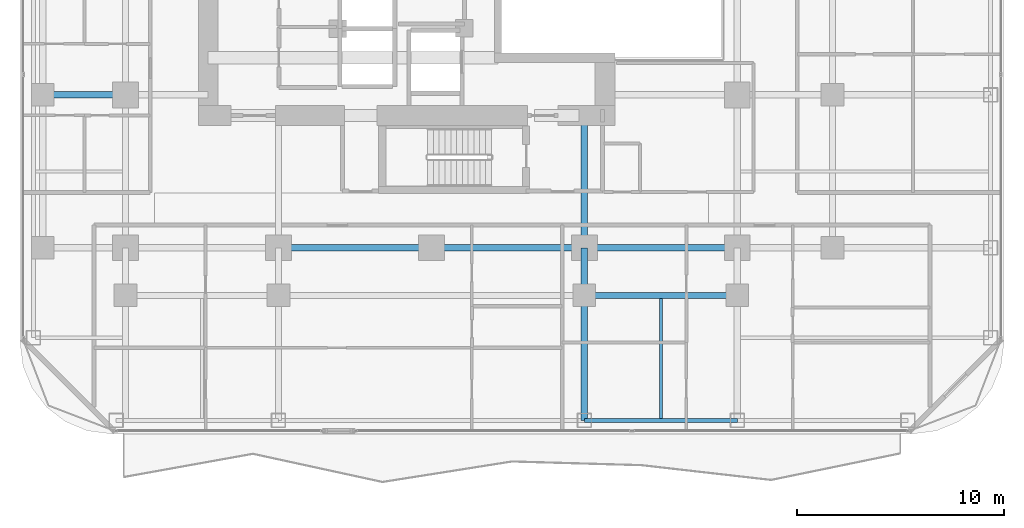
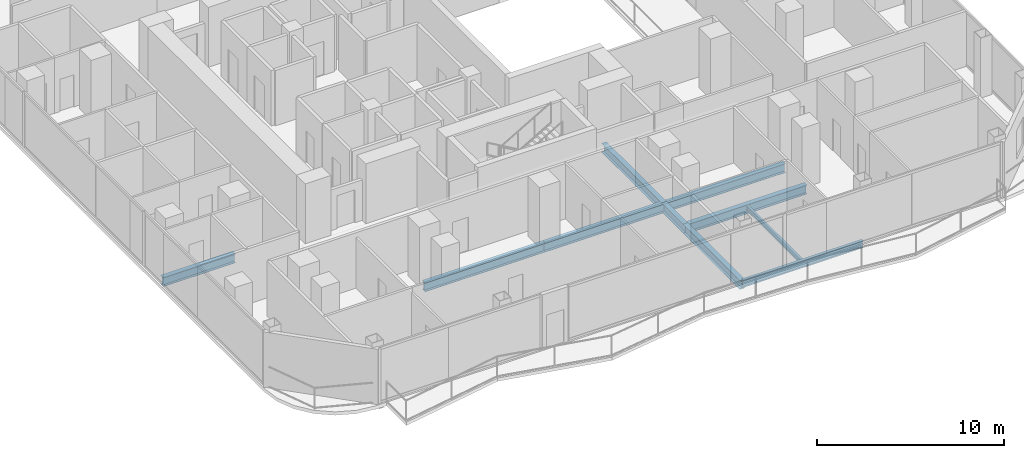
# One storey, part 5 of 27: 10 beams.
"""IFC4 building model written with IfcOpenShell, lengths in metres."""

import ifcopenshell
import ifcopenshell.guid

model = None  # the IFC model being written
_history = None  # IfcOwnerHistory: only IFC2X3 demands one
_inside = {}  # id of a spatial element -> (the spatial element, [elements in it])
_under = {}  # id of a project, library or spatial element -> (it, [spatial elements below it])
_declared = {}  # id of a project -> (the project, [libraries it declares])
_typed = {}  # id of a type object -> (the type object, [elements of that type])
_made_of = {}  # id of a material, layer set ... -> (it, [elements and type objects made of it])


def new_model(schema):
    """Start an empty IFC model of exactly this schema.

    Asked for "IFC4X3", IfcOpenShell would pick the latest addendum, in which some entities
    have other attributes; the version numbers below select the first issue.
    IFC2X3 requires an IfcOwnerHistory on every rooted entity: one is made here for all.
    """
    global model, _history
    if schema == "IFC4X3":
        model = ifcopenshell.file(schema_version=(4, 3, 0, 0))
    else:
        model = ifcopenshell.file(schema=schema)
    _inside.clear()
    _under.clear()
    _declared.clear()
    _typed.clear()
    _made_of.clear()
    _history = None
    if model.schema == "IFC2X3":
        org = make("IfcOrganization", Name="unknown")
        user = make(
            "IfcPersonAndOrganization",
            ThePerson=make("IfcPerson", FamilyName="unknown"),
            TheOrganization=org,
        )
        app = make(
            "IfcApplication",
            ApplicationDeveloper=org,
            Version="unknown",
            ApplicationFullName="unknown",
            ApplicationIdentifier="unknown",
        )
        _history = make(
            "IfcOwnerHistory",
            OwningUser=user,
            OwningApplication=app,
            ChangeAction="ADDED",
            CreationDate=0,
        )
    return model


def make(cls, **values):
    """One entity of the class cls with the attributes given. An attribute that is None is left unset."""
    return model.create_entity(
        cls, **{name: value for name, value in values.items() if value is not None}
    )


def rooted(cls, **values):
    """An entity with a GlobalId (a new one), such as an element, a storey or a relation."""
    return make(cls, GlobalId=ifcopenshell.guid.new(), OwnerHistory=_history, **values)


def si_unit(unit_type, name, prefix=None):
    """IfcSIUnit, for example si_unit("LENGTHUNIT", "METRE", prefix="MILLI")."""
    return make("IfcSIUnit", UnitType=unit_type, Prefix=prefix, Name=name)


def assignment(units):
    """IfcUnitAssignment: the units of a project."""
    return None if units is None else make("IfcUnitAssignment", Units=units)


def point(xyz):
    """IfcCartesianPoint."""
    return None if xyz is None else make("IfcCartesianPoint", Coordinates=xyz)


def direction(xyz):
    """IfcDirection."""
    return None if xyz is None else make("IfcDirection", DirectionRatios=xyz)


def frame(location, z_axis=None, x_axis=None):
    """IfcAxis2Placement3D, a coordinate frame: its origin and axes. An axis left out is left unset."""
    return make(
        "IfcAxis2Placement3D",
        Location=point(location),
        Axis=direction(z_axis),
        RefDirection=direction(x_axis),
    )


def frame_2d(location, x_axis=None):
    """IfcAxis2Placement2D, a coordinate frame in the plane: its origin and x axis."""
    return make(
        "IfcAxis2Placement2D", Location=point(location), RefDirection=direction(x_axis)
    )


def origin():
    """The frame at (0, 0, 0) with its axes left unset."""
    return frame((0.0, 0.0, 0.0))


def origin_2d():
    """The frame at (0, 0) in the plane with its x axis left unset."""
    return frame_2d((0.0, 0.0))


def place(relative_to, where):
    """IfcLocalPlacement: puts the frame where relative to a parent placement (None: the world)."""
    return make(
        "IfcLocalPlacement", PlacementRelTo=relative_to, RelativePlacement=where
    )


def context(
    kind, dimensions, precision=None, world=None, true_north=None, identifier=None
):
    """IfcGeometricRepresentationContext, for example the 3D "Model" context."""
    return make(
        "IfcGeometricRepresentationContext",
        ContextIdentifier=identifier,
        ContextType=kind,
        CoordinateSpaceDimension=dimensions,
        Precision=precision,
        WorldCoordinateSystem=world,
        TrueNorth=true_north,
    )


def subcontext(parent, identifier, kind, view, scale=None):
    """IfcGeometricRepresentationSubContext, for example "Body" below "Model"."""
    return make(
        "IfcGeometricRepresentationSubContext",
        ContextIdentifier=identifier,
        ContextType=kind,
        ParentContext=parent,
        TargetScale=scale,
        TargetView=view,
    )


def project(units=None, contexts=None):
    """IfcProject with its units and contexts."""
    return rooted(
        "IfcProject",
        Name="project",
        RepresentationContexts=contexts,
        UnitsInContext=assignment(units),
    )


def spatial(cls, under=None, at=None, **own):
    """A site, building, storey or space (cls), placed at a placement, below another one or the project."""
    s = rooted(cls, ObjectPlacement=at, **own)
    if under is not None:
        _under.setdefault(under.id(), (under, []))[1].append(s)
    return s


def profile(cls, at=None, kind="AREA", **sizes):
    """A parametric profile (cls). Its sizes go by their IFC names, for example OverallWidth=200.0."""
    return make(cls, ProfileType=kind, Position=at, **sizes)


def i_section(**sizes):
    """IfcIShapeProfileDef."""
    return profile("IfcIShapeProfileDef", **sizes)


def extrude(swept, where, along, depth):
    """IfcExtrudedAreaSolid: the profile swept, set in the frame where, extruded along a direction by depth."""
    return make(
        "IfcExtrudedAreaSolid",
        SweptArea=swept,
        Position=where,
        ExtrudedDirection=direction(along),
        Depth=depth,
    )


def shape(context_of_items, identifier, shape_type, items):
    """IfcShapeRepresentation: the items that make up one representation, for example the "Body"."""
    return make(
        "IfcShapeRepresentation",
        ContextOfItems=context_of_items,
        RepresentationIdentifier=identifier,
        RepresentationType=shape_type,
        Items=items,
    )


def material(Name=None, Category=None):
    """IfcMaterial."""
    return make("IfcMaterial", Name=Name, Category=Category)


def material_profile(
    of_material, cross_section, Name=None, Category=None, Priority=None
):
    """IfcMaterialProfile: a cross section and its material."""
    return make(
        "IfcMaterialProfile",
        Name=Name,
        Material=of_material,
        Profile=cross_section,
        Priority=Priority,
        Category=Category,
    )


def profile_set(profiles, Name=None, composite=None):
    """IfcMaterialProfileSet."""
    return make(
        "IfcMaterialProfileSet",
        Name=Name,
        MaterialProfiles=profiles,
        CompositeProfile=composite,
    )


def made_of(thing, what):
    """Note that an element or type object is made of a material, layer set ...; save() writes the relation."""
    if what is not None:
        _made_of.setdefault(what.id(), (what, []))[1].append(thing)
    return thing


def type_object(cls, material=None, **own):
    """A type object (cls), such as IfcWallType, which elements share."""
    return made_of(rooted(cls, **own), material)


def element(
    cls,
    number,
    at=None,
    inside=None,
    cuts=None,
    type_object=None,
    material=None,
    context=None,
    identifier="Body",
    shape_type=None,
    held_by="IfcProductDefinitionShape",
    body=None,
    shapes=None,
    **own,
):
    """One element of the class cls, such as IfcWall. Its Tag is "e" and its number.

    at: its placement. inside: the storey or other place that contains it. cuts: it is an
    opening in that element (IfcRelVoidsElement). A single representation is given by context,
    identifier, shape_type and body (its items); several are given by shapes. held_by: the class
    of the entity that holds the representations. save() writes the other relations.
    """
    e = rooted(cls, Tag="e%d" % number, ObjectPlacement=at, **own)
    if body is not None:
        shapes = [shape(context, identifier, shape_type, body)]
    if shapes is not None:
        e.Representation = make(held_by, Representations=shapes)
    if inside is not None:
        _inside.setdefault(inside.id(), (inside, []))[1].append(e)
    if cuts is not None:
        rooted(
            "IfcRelVoidsElement", RelatingBuildingElement=cuts, RelatedOpeningElement=e
        )
    if type_object is not None:
        _typed.setdefault(type_object.id(), (type_object, []))[1].append(e)
    return made_of(e, material)


def aggregate(whole, parts):
    """IfcRelAggregates: a whole, such as a stair, and the parts it consists of."""
    return rooted("IfcRelAggregates", RelatingObject=whole, RelatedObjects=parts)


def save(model, path):
    """Write the relations noted so far, then the file.

    IfcRelAggregates (storeys below a building ...), IfcRelContainedInSpatialStructure (elements
    in a storey), IfcRelDefinesByType, IfcRelAssociatesMaterial and IfcRelDeclares: one each for
    every whole, place, type object, material and project.
    """
    for whole, parts in _under.values():
        aggregate(whole, parts)
    for where, things in _inside.values():
        rooted(
            "IfcRelContainedInSpatialStructure",
            RelatedElements=things,
            RelatingStructure=where,
        )
    for kind, things in _typed.values():
        rooted("IfcRelDefinesByType", RelatedObjects=things, RelatingType=kind)
    for what, things in _made_of.values():
        rooted("IfcRelAssociatesMaterial", RelatedObjects=things, RelatingMaterial=what)
    for by, libraries in _declared.values():
        rooted("IfcRelDeclares", RelatingContext=by, RelatedDefinitions=libraries)
    model.write(path)


model = new_model("IFC4")

# Units and contexts
model_context = context("Model", 3, precision=1e-05, world=origin(), true_north=direction((0.0, 1.0)))
body_context = subcontext(model_context, "Body", "Model", "MODEL_VIEW")
ifc_project = project(units=[si_unit("LENGTHUNIT", "METRE"), si_unit("AREAUNIT", "SQUARE_METRE"), si_unit("VOLUMEUNIT", "CUBIC_METRE"), si_unit("PLANEANGLEUNIT", "RADIAN"), si_unit("MASSUNIT", "GRAM", prefix="KILO")], contexts=[model_context])

# Site, building, storey
site_placement = place(None, origin())
site = spatial("IfcSite", under=ifc_project, at=site_placement, CompositionType="ELEMENT")
building_placement = place(site_placement, origin())
building = spatial("IfcBuilding", under=site, at=building_placement, Name="Khorvyn Point Tower", CompositionType="ELEMENT")
storey_placement = place(building_placement, frame((0.0, 0.0, 152.39990234375)))
storey = spatial("IfcBuildingStorey", under=building, at=storey_placement, Name="L38", CompositionType="ELEMENT", Elevation=152.39990234375)

# Beams
ifc_material = material(Name="Steel S355", Category="steel")
ifc_material_profile_1 = material_profile(ifc_material, i_section(OverallWidth=0.300048828125, OverallDepth=0.587890625, WebThickness=0.011962890625, FlangeThickness=0.02001953125, at=origin_2d()))
ifc_profile_set_1 = profile_set([ifc_material_profile_1], Name="Steel S355 H588x300x12x20")
beam_type_1 = type_object("IfcBeamType", Name="Steel S355 Beam H588x300x12x20", PredefinedType="BEAM", material=ifc_profile_set_1)
for number, where, z_axis, x_axis, name in (
    (1, (-7.39990234375, -14.800048828125, -0.513916015625), (1.0, 0.0, 0.0), (0.0, 1.0, 0.0), "Beam"),
    (2, (0.0, -14.800048828125, -0.513916015625), (1.0, 0.0, 0.0), (0.0, 1.0, 0.0), "Beam"),
):
    element("IfcBeam", number, at=place(storey_placement, frame(where, z_axis=z_axis, x_axis=x_axis)), inside=storey, type_object=beam_type_1, Name=name, PredefinedType="BEAM", context=body_context, shape_type="SweptSolid", body=[
        extrude(i_section(OverallWidth=0.300048828125, OverallDepth=0.587890625, WebThickness=0.011962890625, FlangeThickness=0.02001953125, at=origin_2d()), origin(), (0.0, 0.0, 1.0), 7.39990234375),
    ])
beam_1_placement = place(storey_placement, frame((7.39990234375, -14.800048828125, -0.513916015625), z_axis=(1.0, 0.0, 0.0), x_axis=(0.0, 1.0, 0.0)))
element("IfcBeam", 3, at=beam_1_placement, inside=storey, type_object=beam_type_1, Name="Beam", PredefinedType="BEAM", context=body_context, shape_type="SweptSolid", body=[
    extrude(i_section(OverallWidth=0.300048828125, OverallDepth=0.587890625, WebThickness=0.011962890625, FlangeThickness=0.02001953125, at=origin_2d()), origin(), (0.0, 0.0, 1.0), 7.400146484375),
])
beam_2_placement = place(storey_placement, frame((-19.25, -7.39990234375, -0.513916015625), z_axis=(1.0, 0.0, 0.0), x_axis=(0.0, 1.0, 0.0)))
element("IfcBeam", 4, at=beam_2_placement, inside=storey, type_object=beam_type_1, Name="Beam", PredefinedType="BEAM", context=body_context, shape_type="SweptSolid", body=[
    extrude(i_section(OverallWidth=0.300048828125, OverallDepth=0.587890625, WebThickness=0.011962890625, FlangeThickness=0.02001953125, at=origin_2d()), origin(), (0.0, 0.0, 1.0), 4.449951171875),
])
beam_3_placement = place(storey_placement, frame((7.39990234375, -17.10009765625, -0.513916015625), z_axis=(1.0, 0.0, 0.0), x_axis=(0.0, 1.0, 0.0)))
element("IfcBeam", 5, at=beam_3_placement, inside=storey, type_object=beam_type_1, Name="Beam", PredefinedType="BEAM", context=body_context, shape_type="SweptSolid", body=[
    extrude(i_section(OverallWidth=0.300048828125, OverallDepth=0.587890625, WebThickness=0.011962890625, FlangeThickness=0.02001953125, at=origin_2d()), origin(), (0.0, 0.0, 1.0), 7.400146484375),
])
beam_4_placement = place(storey_placement, frame((7.39990234375, -23.14990234375, -0.513916015625), z_axis=(0.0, 1.0, 0.0), x_axis=(-1.0, 0.0, 0.0)))
element("IfcBeam", 6, at=beam_4_placement, inside=storey, type_object=beam_type_1, Name="Beam", PredefinedType="BEAM", context=body_context, shape_type="SweptSolid", body=[
    extrude(i_section(OverallWidth=0.300048828125, OverallDepth=0.587890625, WebThickness=0.011962890625, FlangeThickness=0.02001953125, at=origin_2d()), origin(), (0.0, 0.0, 1.0), 6.0498046875),
])
beam_5_placement = place(storey_placement, frame((7.39990234375, -17.10009765625, -0.513916015625), z_axis=(0.0, 1.0, 0.0), x_axis=(-1.0, 0.0, 0.0)))
element("IfcBeam", 7, at=beam_5_placement, inside=storey, type_object=beam_type_1, Name="Beam", PredefinedType="BEAM", context=body_context, shape_type="SweptSolid", body=[
    extrude(i_section(OverallWidth=0.300048828125, OverallDepth=0.587890625, WebThickness=0.011962890625, FlangeThickness=0.02001953125, at=origin_2d()), origin(), (0.0, 0.0, 1.0), 2.300048828125),
])
beam_6_placement = place(storey_placement, frame((7.39990234375, -14.800048828125, -0.513916015625), z_axis=(0.0, 1.0, 0.0), x_axis=(-1.0, 0.0, 0.0)))
element("IfcBeam", 8, at=beam_6_placement, inside=storey, type_object=beam_type_1, Name="Beam", PredefinedType="BEAM", context=body_context, shape_type="SweptSolid", body=[
    extrude(i_section(OverallWidth=0.300048828125, OverallDepth=0.587890625, WebThickness=0.011962890625, FlangeThickness=0.02001953125, at=origin_2d()), origin(), (0.0, 0.0, 1.0), 6.400146484375),
])
ifc_material_profile_2 = material_profile(ifc_material, i_section(OverallWidth=0.14990234375, OverallDepth=0.300048828125, WebThickness=0.006591796875, FlangeThickness=0.009033203125, at=origin_2d()))
ifc_profile_set_2 = profile_set([ifc_material_profile_2], Name="Steel S355 H300x150x6.5x9")
beam_type_2 = type_object("IfcBeamType", Name="Steel S355 Joist H300x150x6.5x9", PredefinedType="JOIST", material=ifc_profile_set_2)
beam_7_placement = place(storey_placement, frame((11.10009765625, -23.050048828125, -0.369873046875), z_axis=(0.0, 1.0, 0.0), x_axis=(-1.0, 0.0, 0.0)))
element("IfcBeam", 9, at=beam_7_placement, inside=storey, type_object=beam_type_2, Name="Beam", PredefinedType="JOIST", context=body_context, shape_type="SweptSolid", body=[
    extrude(i_section(OverallWidth=0.14990234375, OverallDepth=0.300048828125, WebThickness=0.006591796875, FlangeThickness=0.009033203125, at=origin_2d()), origin(), (0.0, 0.0, 1.0), 5.800048828125),
])
ifc_material_profile_3 = material_profile(ifc_material, i_section(OverallWidth=0.199951171875, OverallDepth=0.449951171875, WebThickness=0.009033203125, FlangeThickness=0.013916015625, at=origin_2d()))
ifc_profile_set_3 = profile_set([ifc_material_profile_3], Name="Steel S355 H450x200x9x14")
beam_type_3 = type_object("IfcBeamType", Name="Steel S355 Spandrel H450x200x9x14", PredefinedType="SPANDREL", material=ifc_profile_set_3)
beam_8_placement = place(storey_placement, frame((7.39990234375, -23.14990234375, -0.44482421875), z_axis=(1.0, 0.0, 0.0), x_axis=(0.0, 1.0, 0.0)))
element("IfcBeam", 10, at=beam_8_placement, inside=storey, type_object=beam_type_3, Name="Beam", PredefinedType="SPANDREL", context=body_context, shape_type="SweptSolid", body=[
    extrude(i_section(OverallWidth=0.199951171875, OverallDepth=0.449951171875, WebThickness=0.009033203125, FlangeThickness=0.013916015625, at=origin_2d()), origin(), (0.0, 0.0, 1.0), 7.400146484375),
])

save(model, "model.ifc")
